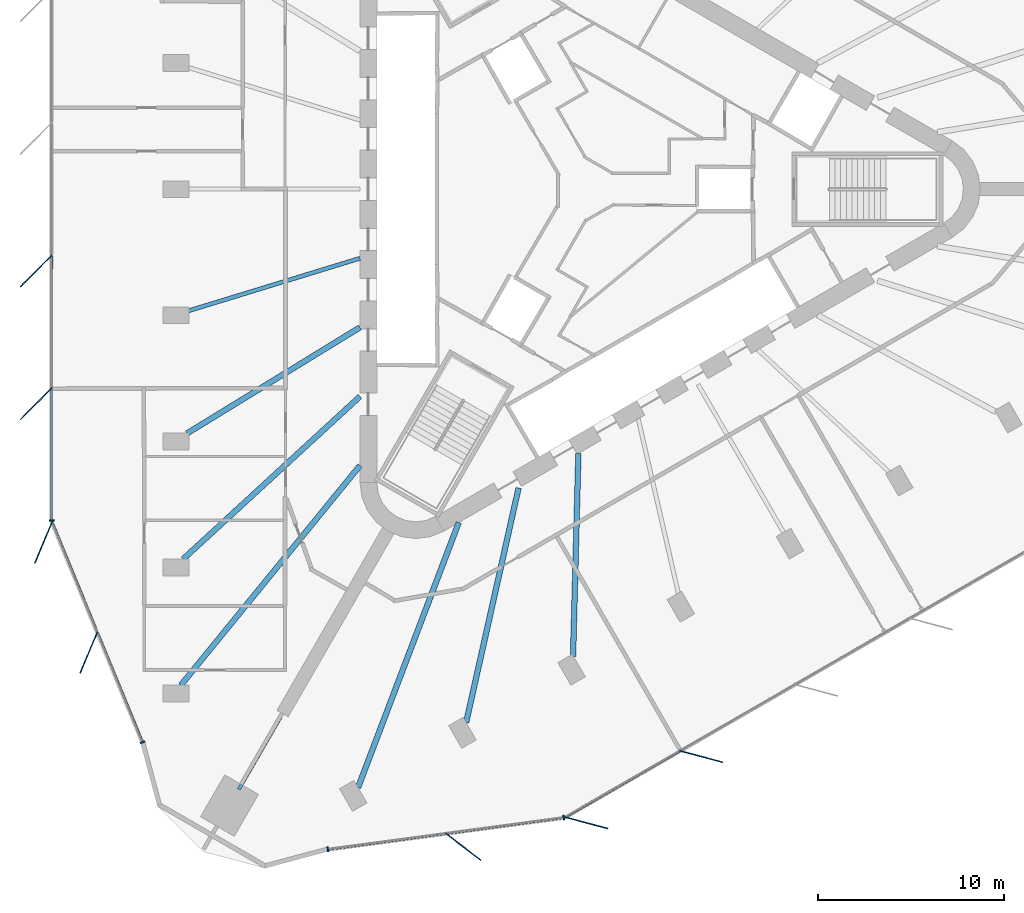
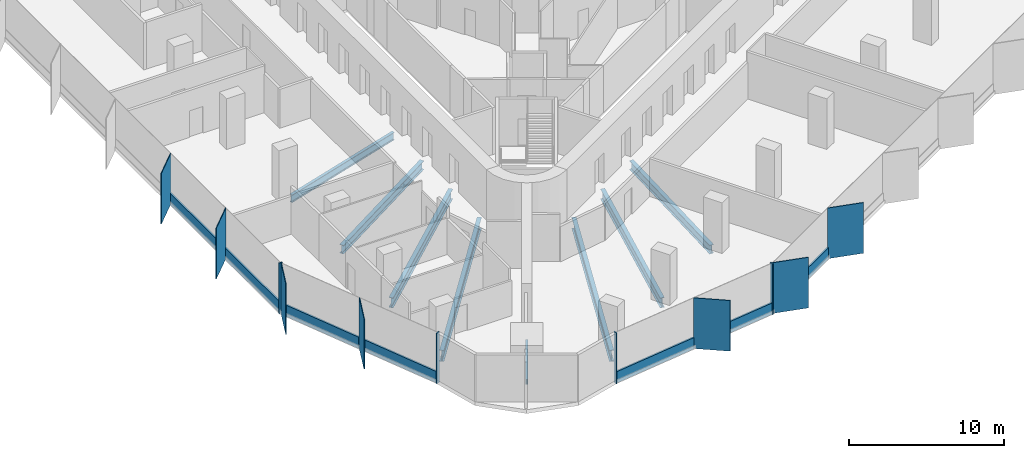
# One storey, part 2 of 14: 18 members, 8 beams, 4 elements without a shape of their own.
"""IFC4 building model written with IfcOpenShell, lengths in metres."""

from ifc_helpers import new_model, si_unit, direction, frame, origin, origin_2d, place, context, subcontext, project, spatial, rectangle, i_section, extrude, material, material_profile, profile_set, type_object, element, aggregate, save


model = new_model("IFC4")

# Units and contexts
model_context = context("Model", 3, precision=1e-05, world=origin(), true_north=direction((0.0, 1.0)))
body_context = subcontext(model_context, "Body", "Model", "MODEL_VIEW")
ifc_project = project(units=[si_unit("LENGTHUNIT", "METRE"), si_unit("AREAUNIT", "SQUARE_METRE"), si_unit("VOLUMEUNIT", "CUBIC_METRE"), si_unit("PLANEANGLEUNIT", "RADIAN"), si_unit("MASSUNIT", "GRAM", prefix="KILO")], contexts=[model_context])

# Site, building, storey
site_placement = place(None, origin())
site = spatial("IfcSite", under=ifc_project, at=site_placement, CompositionType="ELEMENT")
building_placement = place(site_placement, origin())
building = spatial("IfcBuilding", under=site, at=building_placement, Name="Tanit Gate Tower", CompositionType="ELEMENT")
storey_placement = place(building_placement, frame((0.0, 0.0, 229.199951171875)))
storey = spatial("IfcBuildingStorey", under=building, at=storey_placement, Name="L51", CompositionType="ELEMENT", Elevation=229.199951171875)

# Curtain wall, members
ifc_material_1 = material(Name="Aluminium bronze anodised and glass", Category="aluminium")
curtain_wall_type = type_object("IfcCurtainWallType", Name="Curtain wall typical mid", PredefinedType="NOTDEFINED", material=ifc_material_1)
curtain_wall_1_placement = place(storey_placement, origin())
curtain_wall_1 = element("IfcCurtainWall", 1, at=curtain_wall_1_placement, inside=storey, type_object=curtain_wall_type, Name="Curtain wall L51 W2", PredefinedType="NOTDEFINED")
ifc_material_2 = material(Name="Aluminium bronze anodised", Category="aluminium")
ifc_material_profile_1 = material_profile(ifc_material_2, rectangle(XDim=2.39990234375, YDim=0.055908203125, at=origin_2d()), Name="56x2400 bronze fin mullion")
ifc_profile_set_1 = profile_set([ifc_material_profile_1], Name="Aluminium bronze anodised")
member_type_1 = type_object("IfcMemberType", Name="FIN MULLION 56x2400 bronze", PredefinedType="MULLION", material=ifc_profile_set_1)
member_1_placement = place(storey_placement, frame((-29.48828125, -4.393798828125, -0.300048828125), z_axis=(0.0, 0.0, 1.0), x_axis=(0.707057749571, 0.707155809403, 0.0)))
member_1 = element("IfcMember", 2, at=member_1_placement, type_object=member_type_1, Name="Fin mullion L51 W2.4", PredefinedType="MULLION", context=body_context, shape_type="SweptSolid", body=[
    extrude(rectangle(XDim=2.39990234375, YDim=0.055908203125, at=origin_2d()), origin(), (0.0, 0.0, 1.0), 4.0),
])
member_2_placement = place(storey_placement, frame((-29.48779296875, -11.51416015625, -0.300048828125), z_axis=(0.0, 0.0, 1.0), x_axis=(0.707057749571, 0.707155809403, 0.0)))
member_2 = element("IfcMember", 3, at=member_2_placement, type_object=member_type_1, Name="Fin mullion L51 W2.5", PredefinedType="MULLION", context=body_context, shape_type="SweptSolid", body=[
    extrude(rectangle(XDim=2.39990234375, YDim=0.055908203125, at=origin_2d()), origin(), (0.0, 0.0, 1.0), 4.0),
])

curtain_wall_2_placement = place(storey_placement, origin())
curtain_wall_2 = element("IfcCurtainWall", 4, at=curtain_wall_2_placement, inside=storey, type_object=curtain_wall_type, Name="Curtain wall L51 W3", PredefinedType="NOTDEFINED")
member_3_placement = place(storey_placement, frame((-29.0927734375, -18.9658203125, -0.300048828125), z_axis=(0.0, 0.0, 1.0), x_axis=(0.385238181898, 0.922817177564, 0.0)))
member_3 = element("IfcMember", 5, at=member_3_placement, type_object=member_type_1, Name="Fin mullion L51 W3.1", PredefinedType="MULLION", context=body_context, shape_type="SweptSolid", body=[
    extrude(rectangle(XDim=2.39990234375, YDim=0.055908203125, at=origin_2d()), origin(), (0.0, 0.0, 1.0), 4.0),
])
member_4_placement = place(storey_placement, frame((-26.663818359375, -24.87646484375, -0.300048828125), z_axis=(0.0, 0.0, 1.0), x_axis=(0.385238181898, 0.922817177564, 0.0)))
member_4 = element("IfcMember", 6, at=member_4_placement, type_object=member_type_1, Name="Fin mullion L51 W3.2", PredefinedType="MULLION", context=body_context, shape_type="SweptSolid", body=[
    extrude(rectangle(XDim=2.39990234375, YDim=0.055908203125, at=origin_2d()), origin(), (0.0, 0.0, 1.0), 4.0),
])

# Curtain wall, member
curtain_wall_3_placement = place(storey_placement, origin())
curtain_wall_3 = element("IfcCurtainWall", 7, at=curtain_wall_3_placement, inside=storey, type_object=curtain_wall_type, Name="Curtain wall L51 SE1", PredefinedType="NOTDEFINED")
member_5_placement = place(storey_placement, frame((-6.55908203125, -35.308837890625, -0.300048828125), z_axis=(0.0, 0.0, 1.0), x_axis=(-0.794926692677, 0.606705491379, 0.0)))
member_5 = element("IfcMember", 8, at=member_5_placement, type_object=member_type_1, Name="Fin mullion L51 SE1.2", PredefinedType="MULLION", context=body_context, shape_type="SweptSolid", body=[
    extrude(rectangle(XDim=2.39990234375, YDim=0.055908203125, at=origin_2d()), origin(), (0.0, 0.0, 1.0), 4.0),
])

# Curtain wall, members
curtain_wall_4_placement = place(storey_placement, origin())
curtain_wall_4 = element("IfcCurtainWall", 9, at=curtain_wall_4_placement, inside=storey, type_object=curtain_wall_type, Name="Curtain wall L51 SE2", PredefinedType="NOTDEFINED")
member_6_placement = place(storey_placement, frame((0.050537109375, -34.022705078125, -0.300048828125), z_axis=(0.0, 0.0, 1.0), x_axis=(-0.965943770162, 0.25875206837, 0.0)))
member_6 = element("IfcMember", 10, at=member_6_placement, type_object=member_type_1, Name="Fin mullion L51 SE2.1", PredefinedType="MULLION", context=body_context, shape_type="SweptSolid", body=[
    extrude(rectangle(XDim=2.39990234375, YDim=0.055908203125, at=origin_2d()), origin(), (0.0, 0.0, 1.0), 4.0),
])
member_7_placement = place(storey_placement, frame((6.216796875, -30.462158203125, -0.300048828125), z_axis=(0.0, 0.0, 1.0), x_axis=(-0.965943770162, 0.25875206837, 0.0)))
member_7 = element("IfcMember", 11, at=member_7_placement, type_object=member_type_1, Name="Fin mullion L51 SE2.2", PredefinedType="MULLION", context=body_context, shape_type="SweptSolid", body=[
    extrude(rectangle(XDim=2.39990234375, YDim=0.055908203125, at=origin_2d()), origin(), (0.0, 0.0, 1.0), 4.0),
])

# Member
ifc_material_3 = material(Name="Aluminium bronze anodised", Category="aluminium")
ifc_material_profile_2 = material_profile(ifc_material_3, rectangle(XDim=0.260009765625, YDim=0.080078125, at=origin_2d()), Name="80x260 bronze mullion")
ifc_profile_set_2 = profile_set([ifc_material_profile_2], Name="Aluminium bronze anodised")
member_type_2 = type_object("IfcMemberType", Name="Mullion 80x260 typical mid", PredefinedType="MULLION", material=ifc_profile_set_2)
member_8_placement = place(storey_placement, frame((-28.65380859375, -17.801025390625, -0.300048828125), z_axis=(0.0, 0.0, 1.0), x_axis=(0.999999997596, 6.9338772e-05, 0.0)))
member_8 = element("IfcMember", 12, at=member_8_placement, type_object=member_type_2, Name="Mullion L51 W2.6", PredefinedType="MULLION", context=body_context, shape_type="SweptSolid", body=[
    extrude(rectangle(XDim=0.260009765625, YDim=0.080078125, at=origin_2d()), origin(), (0.0, 0.0, 1.0), 4.0),
])

member_9_placement = place(storey_placement, frame((-23.780517578125, -29.69921875, -0.300048828125), z_axis=(0.0, 0.0, 1.0), x_axis=(0.924934814843, 0.380125753259, 0.0)))
member_9 = element("IfcMember", 13, at=member_9_placement, type_object=member_type_2, Name="Mullion L51 W3.3", PredefinedType="MULLION", context=body_context, shape_type="SweptSolid", body=[
    extrude(rectangle(XDim=0.260009765625, YDim=0.080078125, at=origin_2d()), origin(), (0.0, 0.0, 1.0), 4.0),
])

member_10_placement = place(storey_placement, frame((-13.830078125, -35.444091796875, -0.300048828125), z_axis=(0.0, 0.0, 1.0), x_axis=(-0.133092487801, 0.991103622075, 0.0)))
member_10 = element("IfcMember", 14, at=member_10_placement, type_object=member_type_2, Name="Mullion L51 SE1.1", PredefinedType="MULLION", context=body_context, shape_type="SweptSolid", body=[
    extrude(rectangle(XDim=0.260009765625, YDim=0.080078125, at=origin_2d()), origin(), (0.0, 0.0, 1.0), 4.0),
])

member_11_placement = place(storey_placement, frame((-1.162353515625, -33.742919921875, -0.300048828125), z_axis=(0.0, 0.0, 1.0), x_axis=(-0.133092487801, 0.991103622075, 0.0)))
member_11 = element("IfcMember", 15, at=member_11_placement, type_object=member_type_2, Name="Mullion L51 SE1.3", PredefinedType="MULLION", context=body_context, shape_type="SweptSolid", body=[
    extrude(rectangle(XDim=0.260009765625, YDim=0.080078125, at=origin_2d()), origin(), (0.0, 0.0, 1.0), 4.0),
])

# Beams
ifc_material_4 = material(Name="Steel S355", Category="steel")
ifc_material_profile_3 = material_profile(ifc_material_4, i_section(OverallWidth=0.300048828125, OverallDepth=0.68994140625, WebThickness=0.014404296875, FlangeThickness=0.027099609375, FilletRadius=0.027099609375, at=origin_2d()), Name="HEA 700")
ifc_profile_set_3 = profile_set([ifc_material_profile_3], Name="Steel S355")
beam_type_1 = type_object("IfcBeamType", Name="RADIAL GIRDER HEA 700 S355", PredefinedType="BEAM", material=ifc_profile_set_3)
beam_1_placement = place(storey_placement, frame((-21.38818359375, -13.11279296875, -0.64501953125), z_axis=(0.852535207667, 0.522669799863, 0.0), x_axis=(-0.522669799863, 0.852535207667, 0.0)))
element("IfcBeam", 16, at=beam_1_placement, inside=storey, type_object=beam_type_1, Name="RADIAL GIRDER", PredefinedType="BEAM", context=body_context, shape_type="SweptSolid", body=[
    extrude(i_section(OverallWidth=0.300048828125, OverallDepth=0.68994140625, WebThickness=0.014404296875, FlangeThickness=0.027099609375, FilletRadius=0.027099609375, at=origin_2d()), origin(), (0.0, 0.0, 1.0), 10.892333984375),
])
beam_2_placement = place(storey_placement, frame((-0.661865234375, -25.0791015625, -0.64501953125), z_axis=(0.026380949764, 0.99965196218, 0.0), x_axis=(-0.99965196218, 0.026380949764, 0.0)))
element("IfcBeam", 17, at=beam_2_placement, inside=storey, type_object=beam_type_1, Name="RADIAL GIRDER", PredefinedType="BEAM", context=body_context, shape_type="SweptSolid", body=[
    extrude(i_section(OverallWidth=0.300048828125, OverallDepth=0.68994140625, WebThickness=0.014404296875, FlangeThickness=0.027099609375, FilletRadius=0.027099609375, at=origin_2d()), origin(), (0.0, 0.0, 1.0), 10.892578125),
])
ifc_material_5 = material(Name="Steel S355", Category="steel")
ifc_material_profile_4 = material_profile(ifc_material_5, i_section(OverallWidth=0.300048828125, OverallDepth=0.7900390625, WebThickness=0.014892578125, FlangeThickness=0.028076171875, FilletRadius=0.030029296875, at=origin_2d()), Name="HEA 800")
ifc_profile_set_4 = profile_set([ifc_material_profile_4], Name="Steel S355")
beam_type_2 = type_object("IfcBeamType", Name="RADIAL GIRDER HEA 800 S355", PredefinedType="BEAM", material=ifc_profile_set_4)
beam_3_placement = place(storey_placement, frame((-21.598876953125, -19.86279296875, -0.695068359375), z_axis=(0.736073177965, 0.676901969772, 0.0), x_axis=(-0.676901969772, 0.736073177965, 0.0)))
element("IfcBeam", 18, at=beam_3_placement, inside=storey, type_object=beam_type_2, Name="RADIAL GIRDER", PredefinedType="BEAM", context=body_context, shape_type="SweptSolid", body=[
    extrude(i_section(OverallWidth=0.300048828125, OverallDepth=0.7900390625, WebThickness=0.014892578125, FlangeThickness=0.028076171875, FilletRadius=0.030029296875, at=origin_2d()), origin(), (0.0, 0.0, 1.0), 12.902099609375),
])
beam_4_placement = place(storey_placement, frame((-6.402587890625, -28.636474609375, -0.695068359375), z_axis=(0.218198546062, 0.975904398236, 0.0), x_axis=(-0.975904398236, 0.218198546062, 0.0)))
element("IfcBeam", 19, at=beam_4_placement, inside=storey, type_object=beam_type_2, Name="RADIAL GIRDER", PredefinedType="BEAM", context=body_context, shape_type="SweptSolid", body=[
    extrude(i_section(OverallWidth=0.300048828125, OverallDepth=0.7900390625, WebThickness=0.014892578125, FlangeThickness=0.028076171875, FilletRadius=0.030029296875, at=origin_2d()), origin(), (0.0, 0.0, 1.0), 12.90185546875),
])
ifc_material_6 = material(Name="Steel S355", Category="steel")
ifc_material_profile_5 = material_profile(ifc_material_6, i_section(OverallWidth=0.300048828125, OverallDepth=0.889892578125, WebThickness=0.01611328125, FlangeThickness=0.030029296875, FilletRadius=0.030029296875, at=origin_2d()), Name="HEA 900")
ifc_profile_set_5 = profile_set([ifc_material_profile_5], Name="Steel S355")
beam_type_3 = type_object("IfcBeamType", Name="RADIAL GIRDER HEA 900 S355", PredefinedType="BEAM", material=ifc_profile_set_5)
beam_5_placement = place(storey_placement, frame((-21.72119140625, -26.6337890625, -0.744873046875), z_axis=(0.632014947554, 0.774956196225, 0.0), x_axis=(-0.774956196225, 0.632014947554, 0.0)))
element("IfcBeam", 20, at=beam_5_placement, inside=storey, type_object=beam_type_3, Name="RADIAL GIRDER", PredefinedType="BEAM", context=body_context, shape_type="SweptSolid", body=[
    extrude(i_section(OverallWidth=0.300048828125, OverallDepth=0.889892578125, WebThickness=0.01611328125, FlangeThickness=0.030029296875, FilletRadius=0.030029296875, at=origin_2d()), origin(), (0.0, 0.0, 1.0), 15.2197265625),
])
beam_6_placement = place(storey_placement, frame((-12.205078125, -32.1279296875, -0.744873046875), z_axis=(0.355130013355, 0.934816919838, 0.0), x_axis=(-0.934816919838, 0.355130013355, 0.0)))
element("IfcBeam", 21, at=beam_6_placement, inside=storey, type_object=beam_type_3, Name="RADIAL GIRDER", PredefinedType="BEAM", context=body_context, shape_type="SweptSolid", body=[
    extrude(i_section(OverallWidth=0.300048828125, OverallDepth=0.889892578125, WebThickness=0.01611328125, FlangeThickness=0.030029296875, FilletRadius=0.030029296875, at=origin_2d()), origin(), (0.0, 0.0, 1.0), 15.219970703125),
])
ifc_material_7 = material(Name="Steel S355", Category="steel")
ifc_material_profile_6 = material_profile(ifc_material_7, i_section(OverallWidth=0.179931640625, OverallDepth=0.39990234375, WebThickness=0.008544921875, FlangeThickness=0.013427734375, FilletRadius=0.02099609375, at=origin_2d()), Name="IPE 400")
ifc_profile_set_6 = profile_set([ifc_material_profile_6], Name="Steel S355")
beam_type_4 = type_object("IfcBeamType", Name="RADIAL GIRDER IPE 400 S355", PredefinedType="BEAM", material=ifc_profile_set_6)
beam_7_placement = place(storey_placement, frame((-18.607666015625, -32.2294921875, -0.5), z_axis=(0.500003645003, 0.866023299331, 0.0), x_axis=(-0.866023299331, 0.500003645003, 0.0)))
element("IfcBeam", 22, at=beam_7_placement, inside=storey, type_object=beam_type_4, Name="RADIAL GIRDER", PredefinedType="BEAM", context=body_context, shape_type="SweptSolid", body=[
    extrude(i_section(OverallWidth=0.179931640625, OverallDepth=0.39990234375, WebThickness=0.008544921875, FlangeThickness=0.013427734375, FilletRadius=0.02099609375, at=origin_2d()), origin(), (0.0, 0.0, 1.0), 4.484375),
])
ifc_material_8 = material(Name="Steel S355", Category="steel")
ifc_material_profile_7 = material_profile(ifc_material_8, i_section(OverallWidth=0.219970703125, OverallDepth=0.60009765625, WebThickness=0.011962890625, FlangeThickness=0.01904296875, FilletRadius=0.02392578125, at=origin_2d()), Name="IPE 600")
ifc_profile_set_7 = profile_set([ifc_material_profile_7], Name="Steel S355")
beam_type_5 = type_object("IfcBeamType", Name="RADIAL GIRDER IPE 600 S355", PredefinedType="BEAM", material=ifc_profile_set_7)
beam_8_placement = place(storey_placement, frame((-21.38818359375, -6.556396484375, -0.599853515625), z_axis=(0.956085016758, 0.293089475639, 0.0), x_axis=(-0.293089475639, 0.956085016758, 0.0)))
element("IfcBeam", 23, at=beam_8_placement, inside=storey, type_object=beam_type_5, Name="RADIAL GIRDER", PredefinedType="BEAM", context=body_context, shape_type="SweptSolid", body=[
    extrude(i_section(OverallWidth=0.219970703125, OverallDepth=0.60009765625, WebThickness=0.011962890625, FlangeThickness=0.01904296875, FilletRadius=0.02392578125, at=origin_2d()), origin(), (0.0, 0.0, 1.0), 9.712646484375),
])

# Member
ifc_material_9 = material(Name="Aluminium bronze anodised", Category="aluminium")
ifc_material_profile_8 = material_profile(ifc_material_9, rectangle(XDim=0.139892578125, YDim=0.89990234375, at=origin_2d()), Name="140x900 bronze transom")
ifc_profile_set_8 = profile_set([ifc_material_profile_8], Name="Aluminium bronze anodised")
member_type_3 = type_object("IfcMemberType", Name="Transom 140x900 typical mid", PredefinedType="USERDEFINED", material=ifc_profile_set_8)
member_12_placement = place(storey_placement, frame((-28.65478515625, -3.60009765625, 0.150146484375), z_axis=(6.9352937e-05, -0.999999997595, 0.0), x_axis=(0.999999997595, 6.9352937e-05, 0.0)))
member_12 = element("IfcMember", 24, at=member_12_placement, type_object=member_type_3, Name="Transom L51 W2.4", ObjectType="TRANSOM", PredefinedType="USERDEFINED", context=body_context, shape_type="SweptSolid", body=[
    extrude(rectangle(XDim=0.139892578125, YDim=0.89990234375, at=origin_2d()), origin(), (0.0, 0.0, 1.0), 7.04052734375),
])

member_13_placement = place(storey_placement, frame((-28.654296875, -10.720703125, 0.150146484375), z_axis=(6.9355342e-05, -0.999999997595, 0.0), x_axis=(0.999999997595, 6.9355342e-05, 0.0)))
member_13 = element("IfcMember", 25, at=member_13_placement, type_object=member_type_3, Name="Transom L51 W2.5", ObjectType="TRANSOM", PredefinedType="USERDEFINED", context=body_context, shape_type="SweptSolid", body=[
    extrude(rectangle(XDim=0.139892578125, YDim=0.89990234375, at=origin_2d()), origin(), (0.0, 0.0, 1.0), 7.040283203125),
])

aggregate(curtain_wall_1, [member_1, member_2, member_8, member_12, member_13])

member_14_placement = place(storey_placement, frame((-28.62353515625, -17.9150390625, 0.150146484375), z_axis=(0.380119246598, -0.924937488896, 0.0), x_axis=(0.924937488896, 0.380119246598, 0.0)))
member_14 = element("IfcMember", 26, at=member_14_placement, type_object=member_type_3, Name="Transom L51 W3.1", ObjectType="TRANSOM", PredefinedType="USERDEFINED", context=body_context, shape_type="SweptSolid", body=[
    extrude(rectangle(XDim=0.139892578125, YDim=0.89990234375, at=origin_2d()), origin(), (0.0, 0.0, 1.0), 6.310302734375),
])

member_15_placement = place(storey_placement, frame((-26.1943359375, -23.82568359375, 0.150146484375), z_axis=(0.380119246598, -0.924937488896, 0.0), x_axis=(0.924937488896, 0.380119246598, 0.0)))
member_15 = element("IfcMember", 27, at=member_15_placement, type_object=member_type_3, Name="Transom L51 W3.2", ObjectType="TRANSOM", PredefinedType="USERDEFINED", context=body_context, shape_type="SweptSolid", body=[
    extrude(rectangle(XDim=0.139892578125, YDim=0.89990234375, at=origin_2d()), origin(), (0.0, 0.0, 1.0), 6.310302734375),
])

aggregate(curtain_wall_2, [member_3, member_4, member_9, member_14, member_15])

member_16_placement = place(storey_placement, frame((-13.790283203125, -35.438720703125, 0.150146484375), z_axis=(0.991104481394, 0.133086088531, 0.0), x_axis=(-0.133086088531, 0.991104481394, 0.0)))
member_16 = element("IfcMember", 28, at=member_16_placement, type_object=member_type_3, Name="Transom L51 SE1.1", ObjectType="TRANSOM", PredefinedType="USERDEFINED", context=body_context, shape_type="SweptSolid", body=[
    extrude(rectangle(XDim=0.139892578125, YDim=0.89990234375, at=origin_2d()), origin(), (0.0, 0.0, 1.0), 6.310546875),
])

member_17_placement = place(storey_placement, frame((-7.45654296875, -34.588134765625, 0.150146484375), z_axis=(0.99110516659, 0.133080985716, 0.0), x_axis=(-0.133080985716, 0.99110516659, 0.0)))
member_17 = element("IfcMember", 29, at=member_17_placement, type_object=member_type_3, Name="Transom L51 SE1.2", ObjectType="TRANSOM", PredefinedType="USERDEFINED", context=body_context, shape_type="SweptSolid", body=[
    extrude(rectangle(XDim=0.139892578125, YDim=0.89990234375, at=origin_2d()), origin(), (0.0, 0.0, 1.0), 6.310791015625),
])

aggregate(curtain_wall_3, [member_10, member_5, member_11, member_16, member_17])

member_18_placement = place(storey_placement, frame((-1.053466796875, -33.69775390625, 0.150146484375), z_axis=(0.865982880904, 0.500073644557, 0.0), x_axis=(-0.500073644557, 0.865982880904, 0.0)))
member_18 = element("IfcMember", 30, at=member_18_placement, type_object=member_type_3, Name="Transom L51 SE2.1", ObjectType="TRANSOM", PredefinedType="USERDEFINED", context=body_context, shape_type="SweptSolid", body=[
    extrude(rectangle(XDim=0.139892578125, YDim=0.89990234375, at=origin_2d()), origin(), (0.0, 0.0, 1.0), 7.04052734375),
])

aggregate(curtain_wall_4, [member_6, member_7, member_18])

save(model, "model.ifc")
